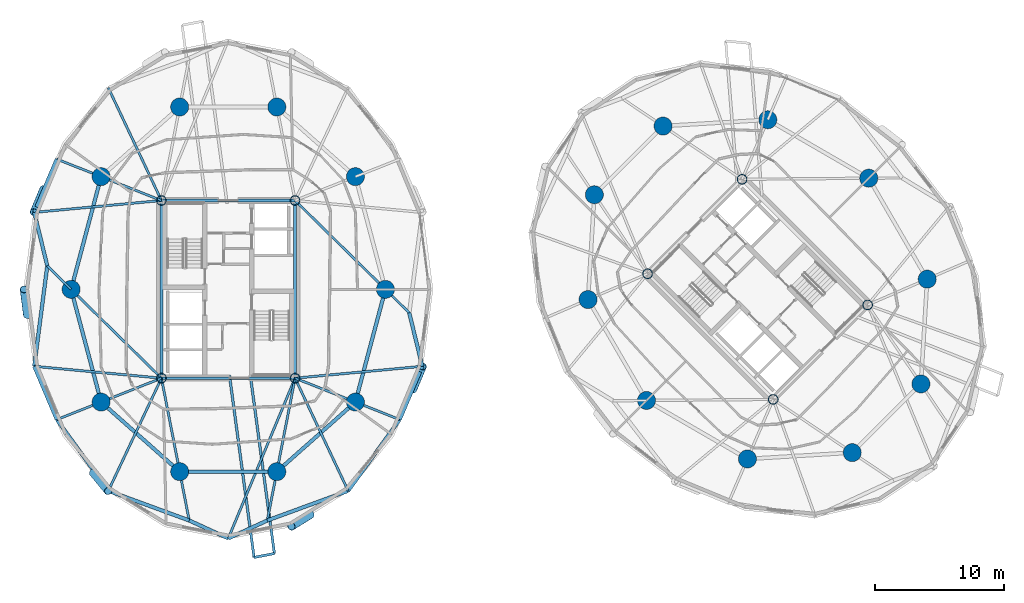
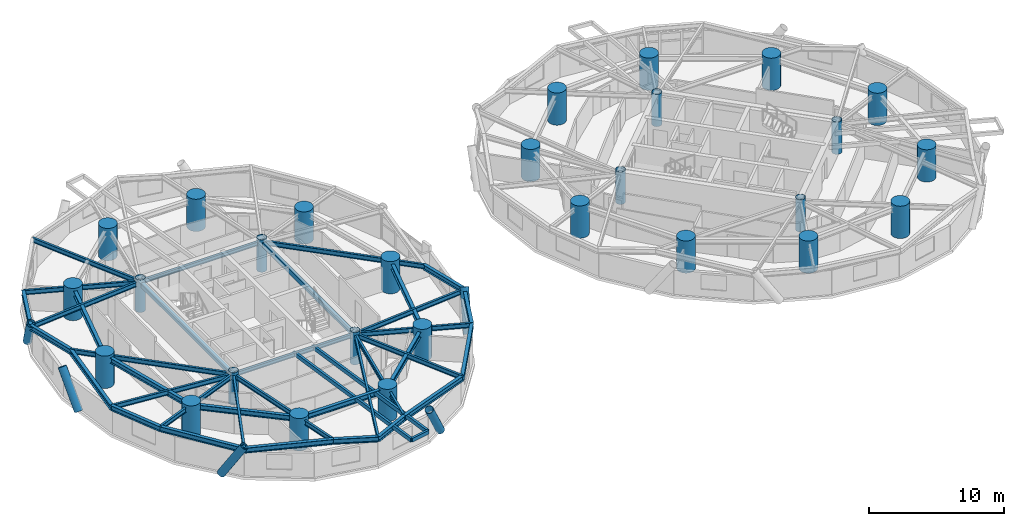
# One storey, part 1 of 17: 40 beams, 28 columns, 5 members.
"""IFC4 building model written with IfcOpenShell, lengths in metres."""

from ifc_helpers import new_model, si_unit, direction, frame, origin, origin_2d, place, context, subcontext, project, spatial, hollow_rectangle, circle, hollow_circle, i_section, extrude, material, material_profile, profile_set, type_object, element, save


model = new_model("IFC4")

# Units and contexts
model_context = context("Model", 3, precision=1e-05, world=origin(), true_north=direction((0.0, 1.0)))
body_context = subcontext(model_context, "Body", "Model", "MODEL_VIEW")
ifc_project = project(units=[si_unit("LENGTHUNIT", "METRE"), si_unit("AREAUNIT", "SQUARE_METRE"), si_unit("VOLUMEUNIT", "CUBIC_METRE"), si_unit("PLANEANGLEUNIT", "RADIAN"), si_unit("MASSUNIT", "GRAM", prefix="KILO")], contexts=[model_context])

# Site, building, storey
site_placement = place(None, origin())
site = spatial("IfcSite", under=ifc_project, at=site_placement, CompositionType="ELEMENT")
building_placement = place(site_placement, origin())
building = spatial("IfcBuilding", under=site, at=building_placement, Name="Cununo Teusaquillo Station Towers", CompositionType="ELEMENT")
storey_placement = place(building_placement, frame((0.0, 0.0, 90.52001953125)))
storey = spatial("IfcBuildingStorey", under=building, at=storey_placement, Name="L28", CompositionType="ELEMENT", Elevation=90.52001953125)

# Columns
ifc_material_1 = material(Name="Steel EN 10025-2 S355J2", Category="steel")
ifc_material_profile_1 = material_profile(ifc_material_1, hollow_circle(Radius=0.3798828125, WallThickness=0.031982421875, at=origin_2d()), Name="CHS 760x32")
ifc_profile_set_1 = profile_set([ifc_material_profile_1], Name="Steel EN 10025-2 S355J2")
column_type_1 = type_object("IfcColumnType", Name="COL-CORE-Z2", PredefinedType="COLUMN", material=ifc_profile_set_1)
for number, where, z_axis, x_axis, name in (
    (1, (11.324951171875, 17.6201171875, 0.0), (0.0, 0.0, 1.0), (1.0, 0.0, 0.0), "L28 Tower A Core Column 1"),
    (2, (11.324951171875, 31.3798828125, 0.0), (0.0, 0.0, 1.0), (1.0, 0.0, 0.0), "L28 Tower A Core Column 2"),
    (3, (21.675048828125, 17.6201171875, 0.0), (0.0, 0.0, 1.0), (1.0, 0.0, 0.0), "L28 Tower A Core Column 3"),
    (4, (21.675048828125, 31.3798828125, 0.0), (0.0, 0.0, 1.0), (1.0, 0.0, 0.0), "L28 Tower A Core Column 4"),
    (5, (58.70556640625, 15.975830078125, 0.0), (0.0, 0.0, 1.0), (0.707106781187, 0.707106781187, 0.0), "L28 Tower B Core Column 1"),
    (6, (48.975830078125, 25.70556640625, 0.0), (0.0, 0.0, 1.0), (0.707106781187, 0.707106781187, 0.0), "L28 Tower B Core Column 2"),
    (7, (66.024169921875, 23.29443359375, 0.0), (0.0, 0.0, 1.0), (0.707106781187, 0.707106781187, 0.0), "L28 Tower B Core Column 3"),
    (8, (56.29443359375, 33.024169921875, 0.0), (0.0, 0.0, 1.0), (0.707106781187, 0.707106781187, 0.0), "L28 Tower B Core Column 4"),
):
    element("IfcColumn", number, at=place(storey_placement, frame(where, z_axis=z_axis, x_axis=x_axis)), inside=storey, type_object=column_type_1, Name=name, PredefinedType="COLUMN", context=body_context, shape_type="SweptSolid", body=[
        extrude(hollow_circle(Radius=0.3798828125, WallThickness=0.031982421875, at=origin_2d()), origin(), (0.0, 0.0, 1.0), 2.909912109375),
    ])
ifc_material_2 = material(Name="Concrete C60/75", Category="concrete")
ifc_material_profile_2 = material_profile(ifc_material_2, circle(Radius=0.699951171875, at=origin_2d()), Name="RC-CIRC-1400")
ifc_profile_set_2 = profile_set([ifc_material_profile_2], Name="Concrete C60/75")
column_type_2 = type_object("IfcColumnType", Name="COL-MEGA-Z2", PredefinedType="USERDEFINED", material=ifc_profile_set_2)
for number, where, z_axis, x_axis, name in (
    (9, (28.672119140625, 24.5, 0.0), (0.0, 0.0, 1.0), (1.0, 0.0, 0.0), "L28 Tower A Perimeter Column V00"),
    (10, (26.347412109375, 33.228515625, 0.0), (0.0, 0.0, 1.0), (1.0, 0.0, 0.0), "L28 Tower A Perimeter Column V02"),
    (11, (20.261474609375, 38.623291015625, 0.0), (0.0, 0.0, 1.0), (1.0, 0.0, 0.0), "L28 Tower A Perimeter Column V04"),
    (12, (12.738525390625, 38.623291015625, 0.0), (0.0, 0.0, 1.0), (1.0, 0.0, 0.0), "L28 Tower A Perimeter Column V06"),
    (13, (6.652587890625, 33.228515625, 0.0), (0.0, 0.0, 1.0), (1.0, 0.0, 0.0), "L28 Tower A Perimeter Column V08"),
    (14, (4.327880859375, 24.5, 0.0), (0.0, 0.0, 1.0), (1.0, 0.0, 0.0), "L28 Tower A Perimeter Column V10"),
    (15, (6.652587890625, 15.771484375, 0.0), (0.0, 0.0, 1.0), (1.0, 0.0, 0.0), "L28 Tower A Perimeter Column V12"),
    (16, (12.738525390625, 10.376708984375, 0.0), (0.0, 0.0, 1.0), (1.0, 0.0, 0.0), "L28 Tower A Perimeter Column V14"),
    (17, (20.261474609375, 10.376708984375, 0.0), (0.0, 0.0, 1.0), (1.0, 0.0, 0.0), "L28 Tower A Perimeter Column V16"),
    (18, (26.347412109375, 15.771484375, 0.0), (0.0, 0.0, 1.0), (1.0, 0.0, 0.0), "L28 Tower A Perimeter Column V18"),
    (19, (66.10693359375, 33.10693359375, 0.0), (0.0, 0.0, 1.0), (1.0, 0.0, 0.0), "L28 Tower B Perimeter Column V00"),
    (20, (58.291015625, 37.63525390625, 0.0), (0.0, 0.0, 1.0), (1.0, 0.0, 0.0), "L28 Tower B Perimeter Column V02"),
    (21, (50.173095703125, 37.146240234375, 0.0), (0.0, 0.0, 1.0), (1.0, 0.0, 0.0), "L28 Tower B Perimeter Column V04"),
    (22, (44.853759765625, 31.826904296875, 0.0), (0.0, 0.0, 1.0), (1.0, 0.0, 0.0), "L28 Tower B Perimeter Column V06"),
    (23, (44.36474609375, 23.708984375, 0.0), (0.0, 0.0, 1.0), (1.0, 0.0, 0.0), "L28 Tower B Perimeter Column V08"),
    (24, (48.89306640625, 15.89306640625, 0.0), (0.0, 0.0, 1.0), (1.0, 0.0, 0.0), "L28 Tower B Perimeter Column V10"),
    (25, (56.708984375, 11.36474609375, 0.0), (0.0, 0.0, 1.0), (1.0, 0.0, 0.0), "L28 Tower B Perimeter Column V12"),
    (26, (64.826904296875, 11.853759765625, 0.0), (0.0, 0.0, 1.0), (1.0, 0.0, 0.0), "L28 Tower B Perimeter Column V14"),
    (27, (70.146240234375, 17.173095703125, 0.0), (0.0, 0.0, 1.0), (1.0, 0.0, 0.0), "L28 Tower B Perimeter Column V16"),
    (28, (70.63525390625, 25.291015625, 0.0), (0.0, 0.0, 1.0), (1.0, 0.0, 0.0), "L28 Tower B Perimeter Column V18"),
):
    element("IfcColumn", number, at=place(storey_placement, frame(where, z_axis=z_axis, x_axis=x_axis)), inside=storey, type_object=column_type_2, Name=name, ObjectType="MEGA COLUMN", PredefinedType="USERDEFINED", context=body_context, shape_type="SweptSolid", body=[
        extrude(circle(Radius=0.699951171875, at=origin_2d()), origin(), (0.0, 0.0, 1.0), 2.909912109375),
    ])

# Beams
ifc_material_3 = material(Name="Steel EN 10025-2 S355J2", Category="steel")
ifc_material_profile_3 = material_profile(ifc_material_3, hollow_rectangle(XDim=0.199951171875, YDim=0.35009765625, WallThickness=0.013916015625, at=origin_2d()), Name="RHS 350x200x14")
ifc_profile_set_3 = profile_set([ifc_material_profile_3], Name="Steel EN 10025-2 S355J2")
beam_type_1 = type_object("IfcBeamType", Name="BM-BAL-CANT", PredefinedType="BEAM", material=ifc_profile_set_3)
beam_1_placement = place(storey_placement, frame((16.59130859375, 17.85009765625, 2.494873046875), z_axis=(0.133936551357, -0.990989909237, 0.0), x_axis=(0.990989909237, 0.133936551357, 0.0)))
element("IfcBeam", 29, at=beam_1_placement, inside=storey, type_object=beam_type_1, Name="L28 Tower A Balcony Cantilever Bracket 2A", PredefinedType="BEAM", context=body_context, shape_type="SweptSolid", body=[
    extrude(hollow_rectangle(XDim=0.199951171875, YDim=0.35009765625, WallThickness=0.013916015625, at=origin_2d()), origin(), (0.0, 0.0, 1.0), 14.24169921875),
])
beam_2_placement = place(storey_placement, frame((18.206298828125, 17.85009765625, 2.494873046875), z_axis=(0.133960678738, -0.990986648019, 0.0), x_axis=(0.990986648019, 0.133960678738, 0.0)))
element("IfcBeam", 30, at=beam_2_placement, inside=storey, type_object=beam_type_1, Name="L28 Tower A Balcony Cantilever Bracket 2B", PredefinedType="BEAM", context=body_context, shape_type="SweptSolid", body=[
    extrude(hollow_rectangle(XDim=0.199951171875, YDim=0.35009765625, WallThickness=0.013916015625, at=origin_2d()), origin(), (0.0, 0.0, 1.0), 13.9345703125),
])
ifc_material_4 = material(Name="Steel EN 10025-2 S355J2", Category="steel")
ifc_material_profile_4 = material_profile(ifc_material_4, hollow_rectangle(XDim=0.25, YDim=0.449951171875, WallThickness=0.01611328125, at=origin_2d()), Name="RHS 450x250x16")
ifc_profile_set_4 = profile_set([ifc_material_profile_4], Name="Steel EN 10025-2 S355J2")
beam_type_2 = type_object("IfcBeamType", Name="BM-COUP-1", PredefinedType="USERDEFINED", material=ifc_profile_set_4)
for number, where, z_axis, x_axis, name in (
    (31, (11.324951171875, 17.6201171875, 2.445068359375), (0.0, 1.0, 0.0), (-1.0, 0.0, 0.0), "L28 Tower A Core Beam 1"),
    (32, (21.675048828125, 17.6201171875, 2.445068359375), (0.0, 1.0, 0.0), (-1.0, 0.0, 0.0), "L28 Tower A Core Beam 2"),
):
    element("IfcBeam", number, at=place(storey_placement, frame(where, z_axis=z_axis, x_axis=x_axis)), inside=storey, type_object=beam_type_2, Name=name, ObjectType="COUPLING BEAM", PredefinedType="USERDEFINED", context=body_context, shape_type="SweptSolid", body=[
        extrude(hollow_rectangle(XDim=0.25, YDim=0.449951171875, WallThickness=0.01611328125, at=origin_2d()), origin(), (0.0, 0.0, 1.0), 13.759765625),
    ])
ifc_material_5 = material(Name="Steel ASTM A572 Grade 50", Category="steel")
ifc_material_profile_5 = material_profile(ifc_material_5, i_section(OverallWidth=0.180908203125, OverallDepth=0.4169921875, WebThickness=0.010986328125, FlangeThickness=0.018310546875, FilletRadius=0.012939453125, at=origin_2d()), Name="W16X57")
ifc_profile_set_5 = profile_set([ifc_material_profile_5], Name="Steel ASTM A572 Grade 50")
beam_type_3 = type_object("IfcBeamType", Name="BM-JOIST-1", PredefinedType="JOIST", material=ifc_profile_set_5)
beam_3_placement = place(storey_placement, frame((11.324951171875, 31.3798828125, 2.46142578125), z_axis=(-0.426319838016, 0.904572493344, 0.0), x_axis=(-0.904572493344, -0.426319838016, 0.0)))
element("IfcBeam", 33, at=beam_3_placement, inside=storey, type_object=beam_type_3, Name="L28 Tower A Radial Spandrel Joist V07", PredefinedType="JOIST", context=body_context, shape_type="SweptSolid", body=[
    extrude(i_section(OverallWidth=0.180908203125, OverallDepth=0.4169921875, WebThickness=0.010986328125, FlangeThickness=0.018310546875, FilletRadius=0.012939453125, at=origin_2d()), origin(), (0.0, 0.0, 1.0), 9.646728515625),
])
for number, where, z_axis, x_axis, name in (
    (34, (11.324951171875, 31.3798828125, 2.46142578125), (-0.995678537907, -0.09286683558, 0.0), (0.09286683558, -0.995678537907, 0.0), "L28 Tower A Radial Spandrel Joist V09"),
    (35, (11.324951171875, 17.6201171875, 2.46142578125), (-0.995678537907, 0.09286683558, 0.0), (-0.09286683558, -0.995678537907, 0.0), "L28 Tower A Radial Spandrel Joist V11"),
):
    element("IfcBeam", number, at=place(storey_placement, frame(where, z_axis=z_axis, x_axis=x_axis)), inside=storey, type_object=beam_type_3, Name=name, PredefinedType="JOIST", context=body_context, shape_type="SweptSolid", body=[
        extrude(i_section(OverallWidth=0.180908203125, OverallDepth=0.4169921875, WebThickness=0.010986328125, FlangeThickness=0.018310546875, FilletRadius=0.012939453125, at=origin_2d()), origin(), (0.0, 0.0, 1.0), 9.895263671875),
    ])
beam_4_placement = place(storey_placement, frame((11.324951171875, 17.6201171875, 2.46142578125), z_axis=(-0.426319838016, -0.904572493344, 0.0), x_axis=(0.904572493344, -0.426319838016, 0.0)))
element("IfcBeam", 36, at=beam_4_placement, inside=storey, type_object=beam_type_3, Name="L28 Tower A Radial Spandrel Joist V13", PredefinedType="JOIST", context=body_context, shape_type="SweptSolid", body=[
    extrude(i_section(OverallWidth=0.180908203125, OverallDepth=0.4169921875, WebThickness=0.010986328125, FlangeThickness=0.018310546875, FilletRadius=0.012939453125, at=origin_2d()), origin(), (0.0, 0.0, 1.0), 9.646728515625),
])
beam_5_placement = place(storey_placement, frame((21.675048828125, 17.6201171875, 2.46142578125), z_axis=(-0.38487837995, -0.922967297713, 0.0), x_axis=(0.922967297713, -0.38487837995, 0.0)))
element("IfcBeam", 37, at=beam_5_placement, inside=storey, type_object=beam_type_3, Name="L28 Tower A Radial Spandrel Joist V15", PredefinedType="JOIST", context=body_context, shape_type="SweptSolid", body=[
    extrude(i_section(OverallWidth=0.180908203125, OverallDepth=0.4169921875, WebThickness=0.010986328125, FlangeThickness=0.018310546875, FilletRadius=0.012939453125, at=origin_2d()), origin(), (0.0, 0.0, 1.0), 13.446044921875),
])
beam_6_placement = place(storey_placement, frame((21.675048828125, 17.6201171875, 2.46142578125), z_axis=(0.426319838016, -0.904572493344, 0.0), x_axis=(0.904572493344, 0.426319838016, 0.0)))
element("IfcBeam", 38, at=beam_6_placement, inside=storey, type_object=beam_type_3, Name="L28 Tower A Radial Spandrel Joist V17", PredefinedType="JOIST", context=body_context, shape_type="SweptSolid", body=[
    extrude(i_section(OverallWidth=0.180908203125, OverallDepth=0.4169921875, WebThickness=0.010986328125, FlangeThickness=0.018310546875, FilletRadius=0.012939453125, at=origin_2d()), origin(), (0.0, 0.0, 1.0), 9.646728515625),
])
beam_7_placement = place(storey_placement, frame((21.675048828125, 17.6201171875, 2.46142578125), z_axis=(0.995678537907, 0.09286683558, 0.0), x_axis=(-0.09286683558, 0.995678537907, 0.0)))
element("IfcBeam", 39, at=beam_7_placement, inside=storey, type_object=beam_type_3, Name="L28 Tower A Radial Spandrel Joist V19", PredefinedType="JOIST", context=body_context, shape_type="SweptSolid", body=[
    extrude(i_section(OverallWidth=0.180908203125, OverallDepth=0.4169921875, WebThickness=0.010986328125, FlangeThickness=0.018310546875, FilletRadius=0.012939453125, at=origin_2d()), origin(), (0.0, 0.0, 1.0), 9.895263671875),
])
ifc_material_6 = material(Name="Steel ASTM A572 Grade 50", Category="steel")
ifc_material_profile_6 = material_profile(ifc_material_6, i_section(OverallWidth=0.2041015625, OverallDepth=0.35009765625, WebThickness=0.008544921875, FlangeThickness=0.01513671875, FilletRadius=0.011962890625, at=origin_2d()), Name="W14X48")
ifc_profile_set_6 = profile_set([ifc_material_profile_6], Name="Steel ASTM A572 Grade 50")
beam_type_4 = type_object("IfcBeamType", Name="BM-LINTEL-1", PredefinedType="LINTEL", material=ifc_profile_set_6)
for number, where, z_axis, x_axis, name in (
    (40, (11.324951171875, 17.6201171875, 2.494873046875), (1.0, 0.0, 0.0), (0.0, 1.0, 0.0), "L28 Tower A Core Beam 3"),
    (41, (11.324951171875, 31.3798828125, 2.494873046875), (1.0, 0.0, 0.0), (0.0, 1.0, 0.0), "L28 Tower A Core Beam 4"),
):
    element("IfcBeam", number, at=place(storey_placement, frame(where, z_axis=z_axis, x_axis=x_axis)), inside=storey, type_object=beam_type_4, Name=name, PredefinedType="LINTEL", context=body_context, shape_type="SweptSolid", body=[
        extrude(i_section(OverallWidth=0.2041015625, OverallDepth=0.35009765625, WebThickness=0.008544921875, FlangeThickness=0.01513671875, FilletRadius=0.011962890625, at=origin_2d()), origin(), (0.0, 0.0, 1.0), 10.35009765625),
    ])
ifc_material_7 = material(Name="Steel ASTM A572 Grade 50", Category="steel")
ifc_material_profile_7 = material_profile(ifc_material_7, i_section(OverallWidth=0.180908203125, OverallDepth=0.4169921875, WebThickness=0.010986328125, FlangeThickness=0.018310546875, FilletRadius=0.012939453125, at=origin_2d()), Name="W16X57")
ifc_profile_set_7 = profile_set([ifc_material_profile_7], Name="Steel ASTM A572 Grade 50")
beam_type_5 = type_object("IfcBeamType", Name="BM-RAD-G2", PredefinedType="BEAM", material=ifc_profile_set_7)
beam_8_placement = place(storey_placement, frame((21.675048828125, 31.3798828125, 2.46142578125), z_axis=(0.713047137857, -0.701116095375, 0.0), x_axis=(0.701116095375, 0.713047137857, 0.0)))
element("IfcBeam", 42, at=beam_8_placement, inside=storey, type_object=beam_type_5, Name="L28 Tower A Continuous Overhanging Radial Girder 01", PredefinedType="BEAM", context=body_context, shape_type="SweptSolid", body=[
    extrude(i_section(OverallWidth=0.180908203125, OverallDepth=0.4169921875, WebThickness=0.010986328125, FlangeThickness=0.018310546875, FilletRadius=0.012939453125, at=origin_2d()), origin(), (0.0, 0.0, 1.0), 12.400390625),
])
beam_9_placement = place(storey_placement, frame((11.324951171875, 31.3798828125, 2.46142578125), z_axis=(-0.929863123823, 0.367905654963, 0.0), x_axis=(-0.367905654963, -0.929863123823, 0.0)))
element("IfcBeam", 43, at=beam_9_placement, inside=storey, type_object=beam_type_5, Name="L28 Tower A Continuous Overhanging Radial Girder 05", PredefinedType="BEAM", context=body_context, shape_type="SweptSolid", body=[
    extrude(i_section(OverallWidth=0.180908203125, OverallDepth=0.4169921875, WebThickness=0.010986328125, FlangeThickness=0.018310546875, FilletRadius=0.012939453125, at=origin_2d()), origin(), (0.0, 0.0, 1.0), 8.715087890625),
])
beam_10_placement = place(storey_placement, frame((11.324951171875, 17.6201171875, 2.46142578125), z_axis=(-0.713052701438, 0.701110437073, 0.0), x_axis=(-0.701110437073, -0.713052701438, 0.0)))
element("IfcBeam", 44, at=beam_10_placement, inside=storey, type_object=beam_type_5, Name="L28 Tower A Radial Girder 06A", PredefinedType="BEAM", context=body_context, shape_type="SweptSolid", body=[
    extrude(i_section(OverallWidth=0.180908203125, OverallDepth=0.4169921875, WebThickness=0.010986328125, FlangeThickness=0.018310546875, FilletRadius=0.012939453125, at=origin_2d()), origin(), (0.0, 0.0, 1.0), 9.812744140625),
])
beam_11_placement = place(storey_placement, frame((4.327880859375, 24.5, 2.46142578125), z_axis=(-0.7130260383, 0.701137553342, 0.0), x_axis=(-0.701137553342, -0.7130260383, 0.0)))
element("IfcBeam", 45, at=beam_11_placement, inside=storey, type_object=beam_type_5, Name="L28 Tower A Perimeter Overhang Girder 06B", PredefinedType="BEAM", context=body_context, shape_type="SweptSolid", body=[
    extrude(i_section(OverallWidth=0.180908203125, OverallDepth=0.4169921875, WebThickness=0.010986328125, FlangeThickness=0.018310546875, FilletRadius=0.012939453125, at=origin_2d()), origin(), (0.0, 0.0, 1.0), 2.58740234375),
])
beam_12_placement = place(storey_placement, frame((11.324951171875, 17.6201171875, 2.46142578125), z_axis=(-0.929863123823, -0.367905654963, 0.0), x_axis=(0.367905654963, -0.929863123823, 0.0)))
element("IfcBeam", 46, at=beam_12_placement, inside=storey, type_object=beam_type_5, Name="L28 Tower A Continuous Overhanging Radial Girder 07", PredefinedType="BEAM", context=body_context, shape_type="SweptSolid", body=[
    extrude(i_section(OverallWidth=0.180908203125, OverallDepth=0.4169921875, WebThickness=0.010986328125, FlangeThickness=0.018310546875, FilletRadius=0.012939453125, at=origin_2d()), origin(), (0.0, 0.0, 1.0), 8.715087890625),
])
for number, where, z_axis, x_axis, name in (
    (47, (11.324951171875, 17.6201171875, 2.46142578125), (0.191552755713, -0.981482318628, 0.0), (0.981482318628, 0.191552755713, 0.0), "L28 Tower A Continuous Overhanging Radial Girder 08"),
    (48, (21.675048828125, 17.6201171875, 2.46142578125), (-0.191552755713, -0.981482318628, 0.0), (0.981482318628, -0.191552755713, 0.0), "L28 Tower A Continuous Overhanging Radial Girder 09"),
):
    element("IfcBeam", number, at=place(storey_placement, frame(where, z_axis=z_axis, x_axis=x_axis)), inside=storey, type_object=beam_type_5, Name=name, PredefinedType="BEAM", context=body_context, shape_type="SweptSolid", body=[
        extrude(i_section(OverallWidth=0.180908203125, OverallDepth=0.4169921875, WebThickness=0.010986328125, FlangeThickness=0.018310546875, FilletRadius=0.012939453125, at=origin_2d()), origin(), (0.0, 0.0, 1.0), 11.22998046875),
    ])
beam_13_placement = place(storey_placement, frame((21.675048828125, 17.6201171875, 2.46142578125), z_axis=(0.929863123823, -0.367905654963, 0.0), x_axis=(0.367905654963, 0.929863123823, 0.0)))
element("IfcBeam", 49, at=beam_13_placement, inside=storey, type_object=beam_type_5, Name="L28 Tower A Continuous Overhanging Radial Girder 10", PredefinedType="BEAM", context=body_context, shape_type="SweptSolid", body=[
    extrude(i_section(OverallWidth=0.180908203125, OverallDepth=0.4169921875, WebThickness=0.010986328125, FlangeThickness=0.018310546875, FilletRadius=0.012939453125, at=origin_2d()), origin(), (0.0, 0.0, 1.0), 8.715087890625),
])
ifc_material_8 = material(Name="Steel ASTM A572 Grade 50", Category="steel")
ifc_material_profile_8 = material_profile(ifc_material_8, i_section(OverallWidth=0.280029296875, OverallDepth=0.462890625, WebThickness=0.0107421875, FlangeThickness=0.017333984375, FilletRadius=0.013916015625, at=origin_2d()), Name="W18X76")
ifc_profile_set_8 = profile_set([ifc_material_profile_8], Name="Steel ASTM A572 Grade 50")
beam_type_6 = type_object("IfcBeamType", Name="BM-RING-Z2", PredefinedType="SPANDREL", material=ifc_profile_set_8)
for number, where, z_axis, x_axis, name in (
    (50, (6.652587890625, 33.228515625, 2.4384765625), (-0.257363196347, -0.966314744359, 0.0), (0.966314744359, -0.257363196347, 0.0), "L28 Tower A Structural Column Ring Girder 05"),
    (51, (4.327880859375, 24.5, 2.4384765625), (0.257363196347, -0.966314744359, 0.0), (0.966314744359, 0.257363196347, 0.0), "L28 Tower A Structural Column Ring Girder 06"),
):
    element("IfcBeam", number, at=place(storey_placement, frame(where, z_axis=z_axis, x_axis=x_axis)), inside=storey, type_object=beam_type_6, Name=name, PredefinedType="SPANDREL", context=body_context, shape_type="SweptSolid", body=[
        extrude(i_section(OverallWidth=0.280029296875, OverallDepth=0.462890625, WebThickness=0.0107421875, FlangeThickness=0.017333984375, FilletRadius=0.013916015625, at=origin_2d()), origin(), (0.0, 0.0, 1.0), 9.03271484375),
    ])
beam_14_placement = place(storey_placement, frame((6.652587890625, 15.771484375, 2.4384765625), z_axis=(0.74832120039, -0.66333655187, 0.0), x_axis=(0.66333655187, 0.74832120039, 0.0)))
element("IfcBeam", 52, at=beam_14_placement, inside=storey, type_object=beam_type_6, Name="L28 Tower A Structural Column Ring Girder 07", PredefinedType="SPANDREL", context=body_context, shape_type="SweptSolid", body=[
    extrude(i_section(OverallWidth=0.280029296875, OverallDepth=0.462890625, WebThickness=0.0107421875, FlangeThickness=0.017333984375, FilletRadius=0.013916015625, at=origin_2d()), origin(), (0.0, 0.0, 1.0), 8.1328125),
])
beam_15_placement = place(storey_placement, frame((12.738525390625, 10.376708984375, 2.4384765625), z_axis=(1.0, 0.0, 0.0), x_axis=(0.0, 1.0, 0.0)))
element("IfcBeam", 53, at=beam_15_placement, inside=storey, type_object=beam_type_6, Name="L28 Tower A Structural Column Ring Girder 08", PredefinedType="SPANDREL", context=body_context, shape_type="SweptSolid", body=[
    extrude(i_section(OverallWidth=0.280029296875, OverallDepth=0.462890625, WebThickness=0.0107421875, FlangeThickness=0.017333984375, FilletRadius=0.013916015625, at=origin_2d()), origin(), (0.0, 0.0, 1.0), 7.52294921875),
])
beam_16_placement = place(storey_placement, frame((20.261474609375, 10.376708984375, 2.4384765625), z_axis=(0.74832120039, 0.66333655187, 0.0), x_axis=(-0.66333655187, 0.74832120039, 0.0)))
element("IfcBeam", 54, at=beam_16_placement, inside=storey, type_object=beam_type_6, Name="L28 Tower A Structural Column Ring Girder 09", PredefinedType="SPANDREL", context=body_context, shape_type="SweptSolid", body=[
    extrude(i_section(OverallWidth=0.280029296875, OverallDepth=0.462890625, WebThickness=0.0107421875, FlangeThickness=0.017333984375, FilletRadius=0.013916015625, at=origin_2d()), origin(), (0.0, 0.0, 1.0), 8.1328125),
])
beam_17_placement = place(storey_placement, frame((26.347412109375, 15.771484375, 2.4384765625), z_axis=(0.257363196347, 0.966314744359, 0.0), x_axis=(-0.966314744359, 0.257363196347, 0.0)))
element("IfcBeam", 55, at=beam_17_placement, inside=storey, type_object=beam_type_6, Name="L28 Tower A Structural Column Ring Girder 10", PredefinedType="SPANDREL", context=body_context, shape_type="SweptSolid", body=[
    extrude(i_section(OverallWidth=0.280029296875, OverallDepth=0.462890625, WebThickness=0.0107421875, FlangeThickness=0.017333984375, FilletRadius=0.013916015625, at=origin_2d()), origin(), (0.0, 0.0, 1.0), 9.03271484375),
])
beam_18_placement = place(storey_placement, frame((3.22119140625, 34.586181640625, 2.4384765625), z_axis=(-0.390299356049, -0.920688010494, 0.0), x_axis=(0.920688010494, -0.390299356049, 0.0)))
element("IfcBeam", 56, at=beam_18_placement, inside=storey, type_object=beam_type_6, Name="L28 Tower A Spandrel Ring Beam 09", PredefinedType="SPANDREL", context=body_context, shape_type="SweptSolid", body=[
    extrude(i_section(OverallWidth=0.280029296875, OverallDepth=0.462890625, WebThickness=0.0107421875, FlangeThickness=0.017333984375, FilletRadius=0.013916015625, at=origin_2d()), origin(), (0.0, 0.0, 1.0), 4.480712890625),
])
beam_19_placement = place(storey_placement, frame((1.472412109375, 30.4609375, 2.4384765625), z_axis=(0.236757334703, -0.971568816124, 0.0), x_axis=(0.971568816124, 0.236757334703, 0.0)))
element("IfcBeam", 57, at=beam_19_placement, inside=storey, type_object=beam_type_6, Name="L28 Tower A Spandrel Ring Beam 10", PredefinedType="SPANDREL", context=body_context, shape_type="SweptSolid", body=[
    extrude(i_section(OverallWidth=0.280029296875, OverallDepth=0.462890625, WebThickness=0.0107421875, FlangeThickness=0.017333984375, FilletRadius=0.013916015625, at=origin_2d()), origin(), (0.0, 0.0, 1.0), 4.26806640625),
])
beam_20_placement = place(storey_placement, frame((2.48291015625, 26.314208984375, 2.4384765625), z_axis=(-0.12888124113, -0.991660035337, 0.0), x_axis=(0.991660035337, -0.12888124113, 0.0)))
element("IfcBeam", 58, at=beam_20_placement, inside=storey, type_object=beam_type_6, Name="L28 Tower A Spandrel Ring Beam 11", PredefinedType="SPANDREL", context=body_context, shape_type="SweptSolid", body=[
    extrude(i_section(OverallWidth=0.280029296875, OverallDepth=0.462890625, WebThickness=0.0107421875, FlangeThickness=0.017333984375, FilletRadius=0.013916015625, at=origin_2d()), origin(), (0.0, 0.0, 1.0), 7.840576171875),
])
beam_21_placement = place(storey_placement, frame((1.472412109375, 18.5390625, 2.4384765625), z_axis=(0.390299356049, -0.920688010494, 0.0), x_axis=(0.920688010494, 0.390299356049, 0.0)))
element("IfcBeam", 59, at=beam_21_placement, inside=storey, type_object=beam_type_6, Name="L28 Tower A Spandrel Ring Beam 12", PredefinedType="SPANDREL", context=body_context, shape_type="SweptSolid", body=[
    extrude(i_section(OverallWidth=0.280029296875, OverallDepth=0.462890625, WebThickness=0.0107421875, FlangeThickness=0.017333984375, FilletRadius=0.013916015625, at=origin_2d()), origin(), (0.0, 0.0, 1.0), 4.480712890625),
])
beam_22_placement = place(storey_placement, frame((3.22119140625, 14.413818359375, 2.4384765625), z_axis=(0.58594455724, -0.810351143543, 0.0), x_axis=(0.810351143543, 0.58594455724, 0.0)))
element("IfcBeam", 60, at=beam_22_placement, inside=storey, type_object=beam_type_6, Name="L28 Tower A Spandrel Ring Beam 13", PredefinedType="SPANDREL", context=body_context, shape_type="SweptSolid", body=[
    extrude(i_section(OverallWidth=0.280029296875, OverallDepth=0.462890625, WebThickness=0.0107421875, FlangeThickness=0.017333984375, FilletRadius=0.013916015625, at=origin_2d()), origin(), (0.0, 0.0, 1.0), 6.8115234375),
])
beam_23_placement = place(storey_placement, frame((7.21240234375, 8.89404296875, 2.4384765625), z_axis=(0.938914161016, -0.34415141761, 0.0), x_axis=(0.34415141761, 0.938914161016, 0.0)))
element("IfcBeam", 61, at=beam_23_placement, inside=storey, type_object=beam_type_6, Name="L28 Tower A Spandrel Ring Beam 14", PredefinedType="SPANDREL", context=body_context, shape_type="SweptSolid", body=[
    extrude(i_section(OverallWidth=0.280029296875, OverallDepth=0.462890625, WebThickness=0.0107421875, FlangeThickness=0.017333984375, FilletRadius=0.013916015625, at=origin_2d()), origin(), (0.0, 0.0, 1.0), 6.671142578125),
])
for number, where, z_axis, x_axis, name in (
    (62, (13.47607421875, 6.59814453125, 2.4384765625), (0.908812215281, -0.417205413862, 0.0), (0.417205413862, 0.908812215281, 0.0), "L28 Tower A Spandrel Ring Beam 15"),
    (63, (16.5, 5.2099609375, 2.4384765625), (0.908812215281, 0.417205413862, 0.0), (-0.417205413862, 0.908812215281, 0.0), "L28 Tower A Spandrel Ring Beam 16"),
):
    element("IfcBeam", number, at=place(storey_placement, frame(where, z_axis=z_axis, x_axis=x_axis)), inside=storey, type_object=beam_type_6, Name=name, PredefinedType="SPANDREL", context=body_context, shape_type="SweptSolid", body=[
        extrude(i_section(OverallWidth=0.280029296875, OverallDepth=0.462890625, WebThickness=0.0107421875, FlangeThickness=0.017333984375, FilletRadius=0.013916015625, at=origin_2d()), origin(), (0.0, 0.0, 1.0), 3.327392578125),
    ])
beam_24_placement = place(storey_placement, frame((19.52392578125, 6.59814453125, 2.4384765625), z_axis=(0.938914161016, 0.34415141761, 0.0), x_axis=(-0.34415141761, 0.938914161016, 0.0)))
element("IfcBeam", 64, at=beam_24_placement, inside=storey, type_object=beam_type_6, Name="L28 Tower A Spandrel Ring Beam 17", PredefinedType="SPANDREL", context=body_context, shape_type="SweptSolid", body=[
    extrude(i_section(OverallWidth=0.280029296875, OverallDepth=0.462890625, WebThickness=0.0107421875, FlangeThickness=0.017333984375, FilletRadius=0.013916015625, at=origin_2d()), origin(), (0.0, 0.0, 1.0), 6.671142578125),
])
beam_25_placement = place(storey_placement, frame((25.78759765625, 8.89404296875, 2.4384765625), z_axis=(0.58594455724, 0.810351143543, 0.0), x_axis=(-0.810351143543, 0.58594455724, 0.0)))
element("IfcBeam", 65, at=beam_25_placement, inside=storey, type_object=beam_type_6, Name="L28 Tower A Spandrel Ring Beam 18", PredefinedType="SPANDREL", context=body_context, shape_type="SweptSolid", body=[
    extrude(i_section(OverallWidth=0.280029296875, OverallDepth=0.462890625, WebThickness=0.0107421875, FlangeThickness=0.017333984375, FilletRadius=0.013916015625, at=origin_2d()), origin(), (0.0, 0.0, 1.0), 6.8115234375),
])
beam_26_placement = place(storey_placement, frame((29.77880859375, 14.413818359375, 2.4384765625), z_axis=(0.390299356049, 0.920688010494, 0.0), x_axis=(-0.920688010494, 0.390299356049, 0.0)))
element("IfcBeam", 66, at=beam_26_placement, inside=storey, type_object=beam_type_6, Name="L28 Tower A Spandrel Ring Beam 19", PredefinedType="SPANDREL", context=body_context, shape_type="SweptSolid", body=[
    extrude(i_section(OverallWidth=0.280029296875, OverallDepth=0.462890625, WebThickness=0.0107421875, FlangeThickness=0.017333984375, FilletRadius=0.013916015625, at=origin_2d()), origin(), (0.0, 0.0, 1.0), 4.480712890625),
])
beam_27_placement = place(storey_placement, frame((31.527587890625, 18.5390625, 2.4384765625), z_axis=(-0.236757334703, 0.971568816124, 0.0), x_axis=(-0.971568816124, -0.236757334703, 0.0)))
element("IfcBeam", 67, at=beam_27_placement, inside=storey, type_object=beam_type_6, Name="L28 Tower A Spandrel Ring Beam 20", PredefinedType="SPANDREL", context=body_context, shape_type="SweptSolid", body=[
    extrude(i_section(OverallWidth=0.280029296875, OverallDepth=0.462890625, WebThickness=0.0107421875, FlangeThickness=0.017333984375, FilletRadius=0.013916015625, at=origin_2d()), origin(), (0.0, 0.0, 1.0), 4.26806640625),
])
ifc_material_9 = material(Name="Steel EN 10025-2 S355J2", Category="steel")
ifc_material_profile_9 = material_profile(ifc_material_9, hollow_rectangle(XDim=0.199951171875, YDim=0.35009765625, WallThickness=0.013916015625, at=origin_2d()), Name="RHS 350x200x14")
ifc_profile_set_9 = profile_set([ifc_material_profile_9], Name="Steel EN 10025-2 S355J2")
beam_type_7 = type_object("IfcBeamType", Name="BM-STAIR-TRIM", PredefinedType="BEAM", material=ifc_profile_set_9)
beam_28_placement = place(storey_placement, frame((18.498779296875, 3.73681640625, 2.52490234375), z_axis=(0.981836621572, 0.189728354603, 0.0), x_axis=(-0.189728354603, 0.981836621572, 0.0)))
element("IfcBeam", 68, at=beam_28_placement, inside=storey, type_object=beam_type_7, Name="L28 Tower A Balcony Edge Trimmer Beam 2", PredefinedType="BEAM", context=body_context, shape_type="SweptSolid", body=[
    extrude(hollow_rectangle(XDim=0.199951171875, YDim=0.35009765625, WallThickness=0.013916015625, at=origin_2d()), origin(), (0.0, 0.0, 1.0), 1.603271484375),
])

# Members
ifc_material_10 = material(Name="Steel EN 10025-2 S355J2", Category="steel")
ifc_material_profile_10 = material_profile(ifc_material_10, hollow_circle(Radius=0.330078125, WallThickness=0.02490234375, at=origin_2d()), Name="CHS 660x25")
ifc_profile_set_10 = profile_set([ifc_material_profile_10], Name="Steel EN 10025-2 S355J2")
member_type = type_object("IfcMemberType", Name="MBR-DIAG-Z2", PredefinedType="BRACE", material=ifc_profile_set_10)
member_1_placement = place(storey_placement, frame((2.220458984375, 32.25341796875, -0.14013671875), z_axis=(-0.213801258435, -0.512313589893, 0.831759464931), x_axis=(0.922861086318, -0.385132983993, 0.0)))
element("IfcMember", 69, at=member_1_placement, inside=storey, type_object=member_type, Name="L28 Tower A Folded-Zigzag Diagrid Tube C08", PredefinedType="BRACE", context=body_context, shape_type="SweptSolid", body=[
    extrude(hollow_circle(Radius=0.330078125, WallThickness=0.02490234375, at=origin_2d()), origin(), (0.0, 0.0, 1.0), 3.498779296875),
])
member_2_placement = place(storey_placement, frame((0.956787109375, 22.512939453125, -0.14013671875), z_axis=(-0.072967432985, 0.562388197979, 0.823647538998), x_axis=(-0.991687829619, -0.128667200894, 0.0)))
element("IfcMember", 70, at=member_2_placement, inside=storey, type_object=member_type, Name="L28 Tower A Folded-Zigzag Diagrid Tube C10", PredefinedType="BRACE", context=body_context, shape_type="SweptSolid", body=[
    extrude(hollow_circle(Radius=0.330078125, WallThickness=0.02490234375, at=origin_2d()), origin(), (0.0, 0.0, 1.0), 3.533203125),
])
member_3_placement = place(storey_placement, frame((6.047119140625, 10.316650390625, -0.14013671875), z_axis=(0.338500543535, -0.413250087404, 0.845364860452), x_axis=(0.773602270202, 0.633671466565, 0.0)))
element("IfcMember", 71, at=member_3_placement, inside=storey, type_object=member_type, Name="L28 Tower A Folded-Zigzag Diagrid Tube C12", PredefinedType="BRACE", context=body_context, shape_type="SweptSolid", body=[
    extrude(hollow_circle(Radius=0.330078125, WallThickness=0.02490234375, at=origin_2d()), origin(), (0.0, 0.0, 1.0), 3.4423828125),
])
member_4_placement = place(storey_placement, frame((22.85107421875, 7.0673828125, -0.14013671875), z_axis=(-0.433741137774, -0.269808047292, 0.859693109789), x_axis=(0.528195574716, -0.849122744278, 0.0)))
element("IfcMember", 72, at=member_4_placement, inside=storey, type_object=member_type, Name="L28 Tower A Folded-Zigzag Diagrid Tube C16", PredefinedType="BRACE", context=body_context, shape_type="SweptSolid", body=[
    extrude(hollow_circle(Radius=0.330078125, WallThickness=0.02490234375, at=origin_2d()), origin(), (0.0, 0.0, 1.0), 3.385009765625),
])
member_5_placement = place(storey_placement, frame((30.779541015625, 16.74658203125, -0.14013671875), z_axis=(0.213801258435, 0.512313589893, 0.831759464931), x_axis=(-0.922861086318, 0.385132983993, 0.0)))
element("IfcMember", 73, at=member_5_placement, inside=storey, type_object=member_type, Name="L28 Tower A Folded-Zigzag Diagrid Tube C18", PredefinedType="BRACE", context=body_context, shape_type="SweptSolid", body=[
    extrude(hollow_circle(Radius=0.330078125, WallThickness=0.02490234375, at=origin_2d()), origin(), (0.0, 0.0, 1.0), 3.498779296875),
])

save(model, "model.ifc")
